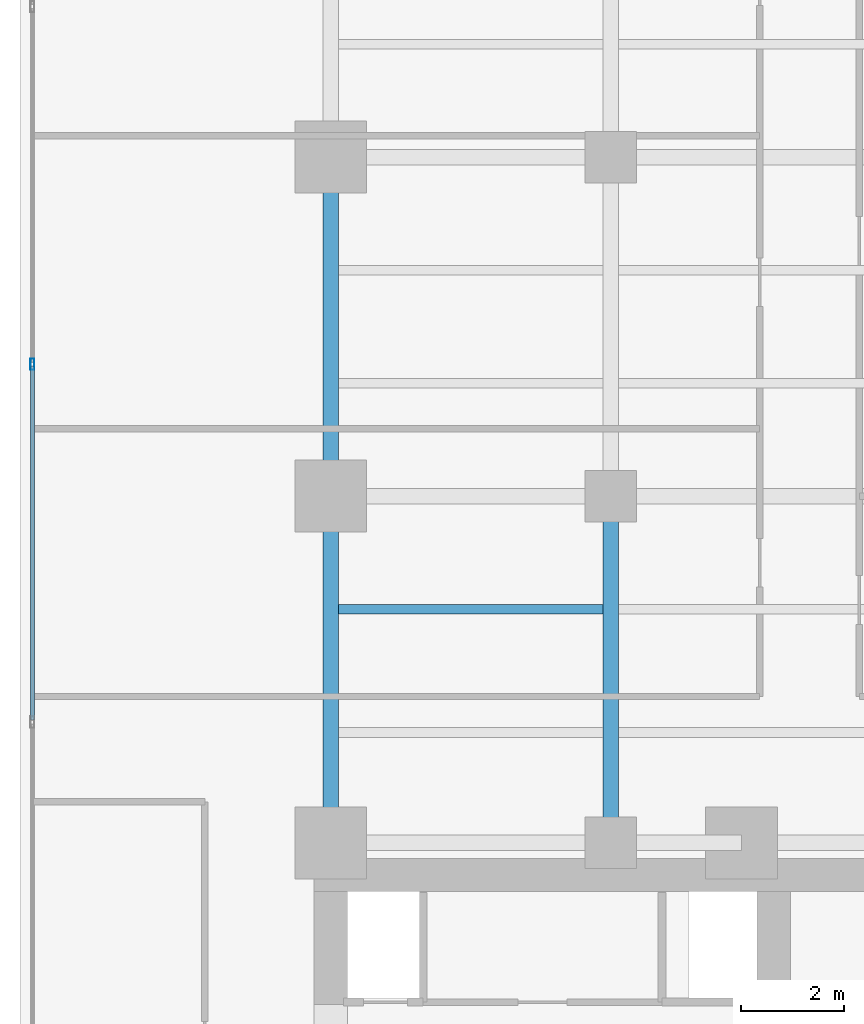
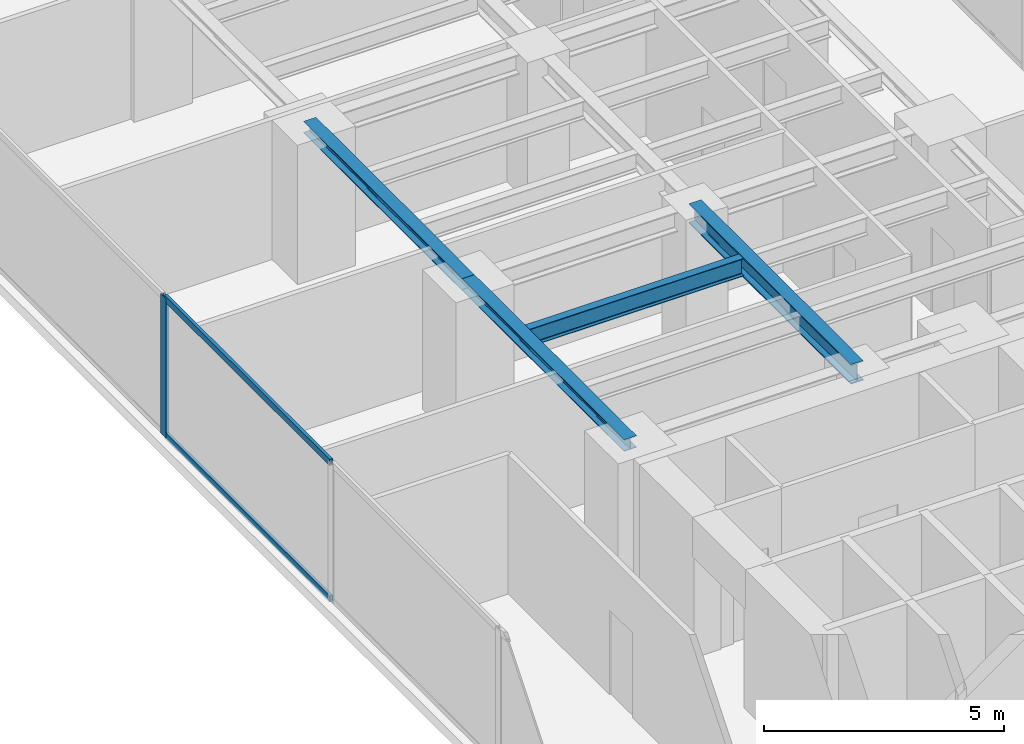
# One storey, part 7 of 24: 4 beams, 3 members, 1 element without a shape of its own.
"""IFC4 building model written with IfcOpenShell, lengths in metres."""

from ifc_helpers import new_model, si_unit, direction, frame, origin, origin_with_axes, origin_2d, place, context, subcontext, project, spatial, hollow_rectangle, i_section, extrude, source, transform, mapped, material, layer, layer_set, material_profile, profile_set, type_object, element, aggregate, save


model = new_model("IFC4")

# Units and contexts
model_context = context("Model", 3, precision=1e-05, world=origin(), true_north=direction((0.0, 1.0)))
body_context = subcontext(model_context, "Body", "Model", "MODEL_VIEW")
ifc_project = project(units=[si_unit("LENGTHUNIT", "METRE"), si_unit("AREAUNIT", "SQUARE_METRE"), si_unit("VOLUMEUNIT", "CUBIC_METRE"), si_unit("PLANEANGLEUNIT", "RADIAN"), si_unit("MASSUNIT", "GRAM", prefix="KILO")], contexts=[model_context])

# Site, building, storey
site_placement = place(None, origin())
site = spatial("IfcSite", under=ifc_project, at=site_placement, CompositionType="ELEMENT")
building_placement = place(site_placement, origin())
building = spatial("IfcBuilding", under=site, at=building_placement, Name="Kolvaren Waterfront Exchange", CompositionType="ELEMENT")
storey_placement = place(building_placement, frame((0.0, 0.0, 95.5)))
storey = spatial("IfcBuildingStorey", under=building, at=storey_placement, Name="L24", CompositionType="ELEMENT", Elevation=95.5)

# Beams
ifc_material_1 = material(Name="Steel S355", Category="steel")
ifc_material_profile_1 = material_profile(ifc_material_1, i_section(OverallWidth=0.300048828125, OverallDepth=0.300048828125, WebThickness=0.010986328125, FlangeThickness=0.01904296875, FilletRadius=0.027099609375, at=origin_2d()), Name="HEB300")
ifc_profile_set_1 = profile_set([ifc_material_profile_1], Name="Steel S355")
beam_type_1 = type_object("IfcBeamType", Name="STR-BM-HEB300", PredefinedType="SPANDREL", material=ifc_profile_set_1)
beam_1_placement = place(storey_placement, frame((7.449951171875, 24.449951171875, 3.389892578125), z_axis=(0.0, 1.0, 0.0), x_axis=(-1.0, 0.0, 0.0)))
element("IfcBeam", 1, at=beam_1_placement, inside=storey, type_object=beam_type_1, Name="L24 north-arm edge beam 1", PredefinedType="SPANDREL", context=body_context, shape_type="SweptSolid", body=[
    extrude(i_section(OverallWidth=0.300048828125, OverallDepth=0.300048828125, WebThickness=0.010986328125, FlangeThickness=0.01904296875, FilletRadius=0.027099609375, at=origin_2d()), origin(), (0.0, 0.0, 1.0), 6.75),
])
beam_2_placement = place(storey_placement, frame((7.449951171875, 31.199951171875, 3.389892578125), z_axis=(0.0, 1.0, 0.0), x_axis=(-1.0, 0.0, 0.0)))
element("IfcBeam", 2, at=beam_2_placement, inside=storey, type_object=beam_type_1, Name="L24 north-arm edge beam 2", PredefinedType="SPANDREL", context=body_context, shape_type="SweptSolid", body=[
    extrude(i_section(OverallWidth=0.300048828125, OverallDepth=0.300048828125, WebThickness=0.010986328125, FlangeThickness=0.01904296875, FilletRadius=0.027099609375, at=origin_2d()), origin(), (0.0, 0.0, 1.0), 6.60009765625),
])
ifc_material_profile_2 = material_profile(ifc_material_1, i_section(OverallWidth=0.300048828125, OverallDepth=0.5, WebThickness=0.014404296875, FlangeThickness=0.028076171875, FilletRadius=0.027099609375, at=origin_2d()), Name="HEB500")
ifc_profile_set_2 = profile_set([ifc_material_profile_2], Name="Steel S355")
beam_type_2 = type_object("IfcBeamType", Name="STR-BM-HEB500", PredefinedType="BEAM", material=ifc_profile_set_2)
beam_3_placement = place(storey_placement, frame((12.89990234375, 24.449951171875, 3.2900390625), z_axis=(0.0, 1.0, 0.0), x_axis=(-1.0, 0.0, 0.0)))
element("IfcBeam", 3, at=beam_3_placement, inside=storey, type_object=beam_type_2, Name="L24 north-arm edge beam 1", PredefinedType="BEAM", context=body_context, shape_type="SweptSolid", body=[
    extrude(i_section(OverallWidth=0.300048828125, OverallDepth=0.5, WebThickness=0.014404296875, FlangeThickness=0.028076171875, FilletRadius=0.027099609375, at=origin_2d()), origin(), (0.0, 0.0, 1.0), 6.75),
])
ifc_material_profile_3 = material_profile(ifc_material_1, i_section(OverallWidth=0.18994140625, OverallDepth=0.449951171875, WebThickness=0.009521484375, FlangeThickness=0.0146484375, FilletRadius=0.02099609375, at=origin_2d()), Name="IPE450")
ifc_profile_set_3 = profile_set([ifc_material_profile_3], Name="Steel S355")
beam_type_3 = type_object("IfcBeamType", Name="STR-BM-IPE450", PredefinedType="JOIST", material=ifc_profile_set_3)
beam_4_placement = place(storey_placement, frame((7.60205078125, 29.0, 3.31494140625), z_axis=(1.0, 0.0, 0.0), x_axis=(0.0, 1.0, 0.0)))
element("IfcBeam", 4, at=beam_4_placement, inside=storey, type_object=beam_type_3, Name="L24 north-arm composite joist 2A", PredefinedType="JOIST", context=body_context, shape_type="SweptSolid", body=[
    extrude(i_section(OverallWidth=0.18994140625, OverallDepth=0.449951171875, WebThickness=0.009521484375, FlangeThickness=0.0146484375, FilletRadius=0.02099609375, at=origin_2d()), origin(), (0.0, 0.0, 1.0), 5.14599609375),
])

# Curtain wall, members
ifc_material_2 = material(Name="Anodised aluminium 6063-T6", Category="aluminium")
ifc_layer = layer(ifc_material_2, 0.219970703125, Name="Anodised aluminium 6063-T6")
ifc_layer_set = layer_set([ifc_layer], Name="Anodised aluminium 6063-T6")
curtain_wall_type = type_object("IfcCurtainWallType", Name="ARC-CW-SYS2", PredefinedType="USERDEFINED", material=ifc_layer_set)
curtain_wall_placement = place(storey_placement, origin())
curtain_wall = element("IfcCurtainWall", 5, at=curtain_wall_placement, inside=storey, type_object=curtain_wall_type, Name="L24 stick curtain wall CW2 (CW-L24-W)", ObjectType="STICK CURTAIN WALL", PredefinedType="USERDEFINED")
ifc_material_profile_4 = material_profile(ifc_material_2, hollow_rectangle(XDim=0.080078125, YDim=0.219970703125, WallThickness=0.0048828125, at=origin_2d()), Name="ALU-MUL-220x80x5")
ifc_profile_set_4 = profile_set([ifc_material_profile_4], Name="Anodised aluminium 6063-T6")
member_type_1 = type_object("IfcMemberType", Name="ARC-CWM-220", PredefinedType="MULLION", material=ifc_profile_set_4)
shared_shape_1 = source(origin_with_axes(), body_context, "Body", "SweptSolid", [
    extrude(hollow_rectangle(XDim=0.080078125, YDim=0.219970703125, WallThickness=0.0048828125, at=origin_2d()), origin(), (0.0, 0.0, 1.0), 3.5400390625),
])
member_1_placement = place(storey_placement, frame((1.639892578125, 33.7666015625, 0.0), z_axis=(0.0, 0.0, 1.0), x_axis=(-1.0, 0.0, 0.0)))
member_1 = element("IfcMember", 6, at=member_1_placement, type_object=member_type_1, Name="CW2 mullion 5", PredefinedType="MULLION", context=body_context, shape_type="MappedRepresentation", body=[
    mapped(shared_shape_1, transform((0.0, 0.0, 0.0), x_axis=(1.0, 0.0, 0.0), y_axis=(0.0, 1.0, 0.0), z_axis=(0.0, 0.0, 1.0), scale=1.0)),
])
ifc_material_profile_5 = material_profile(ifc_material_2, hollow_rectangle(XDim=0.074951171875, YDim=0.159912109375, WallThickness=0.00439453125, at=origin_2d()), Name="ALU-TRN-160x75x4.5")
ifc_profile_set_5 = profile_set([ifc_material_profile_5], Name="Anodised aluminium 6063-T6")
member_type_2 = type_object("IfcMemberType", Name="ARC-CWT-160", PredefinedType="USERDEFINED", material=ifc_profile_set_5)
shared_shape_2 = source(origin_with_axes(), body_context, "Body", "SweptSolid", [
    extrude(hollow_rectangle(XDim=0.074951171875, YDim=0.159912109375, WallThickness=0.00439453125, at=origin_2d()), origin(), (0.0, 0.0, 1.0), 6.886474609375),
])
member_2_placement = place(storey_placement, frame((1.639892578125, 26.840087890625, 0.03759765625), z_axis=(0.0, 1.0, 0.0), x_axis=(-1.0, 0.0, 0.0)))
member_2 = element("IfcMember", 7, at=member_2_placement, type_object=member_type_2, Name="CW2 transom 4.1", ObjectType="TRANSOM", PredefinedType="USERDEFINED", context=body_context, shape_type="MappedRepresentation", body=[
    mapped(shared_shape_2, transform((0.0, 0.0, 0.0), x_axis=(1.0, 0.0, 0.0), y_axis=(0.0, 1.0, 0.0), z_axis=(0.0, 0.0, 1.0), scale=1.0)),
])
member_3_placement = place(storey_placement, frame((1.639892578125, 26.840087890625, 3.50244140625), z_axis=(0.0, 1.0, 0.0), x_axis=(-1.0, 0.0, 0.0)))
member_3 = element("IfcMember", 8, at=member_3_placement, type_object=member_type_2, Name="CW2 transom 4.2", ObjectType="TRANSOM", PredefinedType="USERDEFINED", context=body_context, shape_type="MappedRepresentation", body=[
    mapped(shared_shape_2, transform((0.0, 0.0, 0.0), x_axis=(1.0, 0.0, 0.0), y_axis=(0.0, 1.0, 0.0), z_axis=(0.0, 0.0, 1.0), scale=1.0)),
])
aggregate(curtain_wall, [member_1, member_2, member_3])

save(model, "model.ifc")
